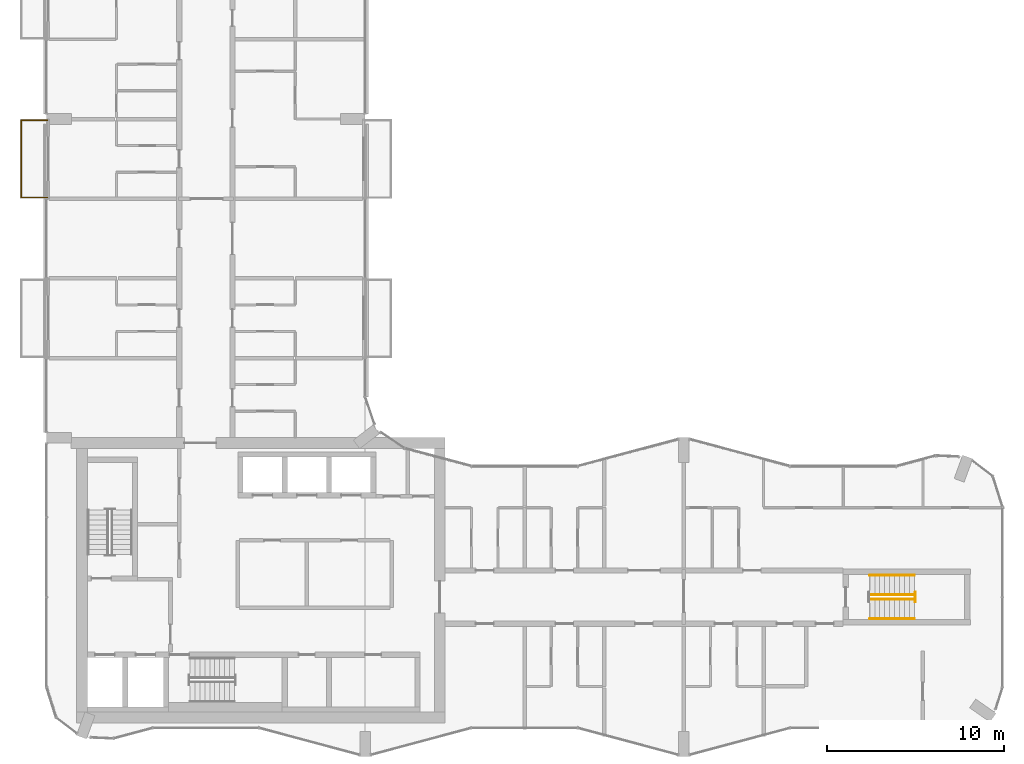
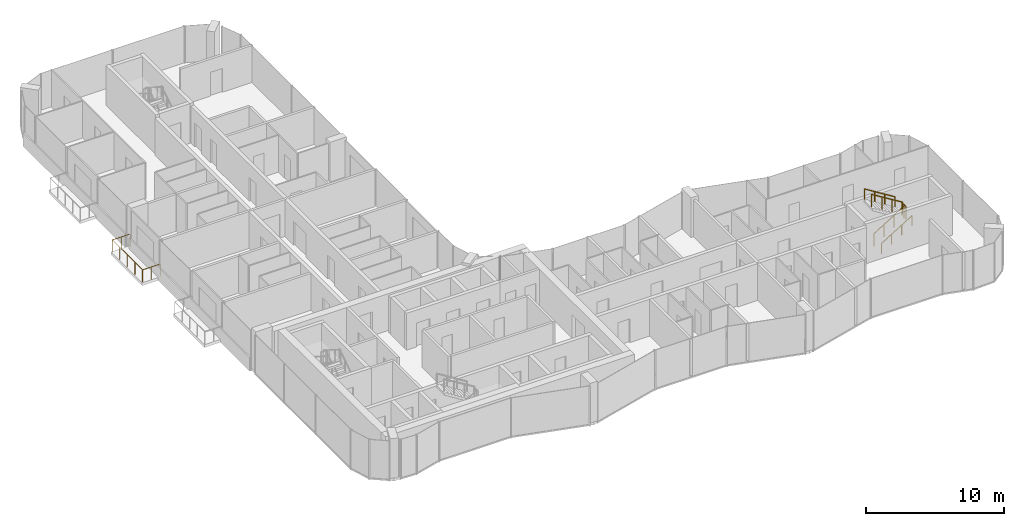
# One storey, part 15 of 16: 6 railings.
"""IFC4 building model written with IfcOpenShell, lengths in metres."""

import ifcopenshell
import ifcopenshell.guid

model = None  # the IFC model being written
_history = None  # IfcOwnerHistory: only IFC2X3 demands one
_inside = {}  # id of a spatial element -> (the spatial element, [elements in it])
_under = {}  # id of a project, library or spatial element -> (it, [spatial elements below it])
_declared = {}  # id of a project -> (the project, [libraries it declares])
_typed = {}  # id of a type object -> (the type object, [elements of that type])
_made_of = {}  # id of a material, layer set ... -> (it, [elements and type objects made of it])


def new_model(schema):
    """Start an empty IFC model of exactly this schema.

    Asked for "IFC4X3", IfcOpenShell would pick the latest addendum, in which some entities
    have other attributes; the version numbers below select the first issue.
    IFC2X3 requires an IfcOwnerHistory on every rooted entity: one is made here for all.
    """
    global model, _history
    if schema == "IFC4X3":
        model = ifcopenshell.file(schema_version=(4, 3, 0, 0))
    else:
        model = ifcopenshell.file(schema=schema)
    _inside.clear()
    _under.clear()
    _declared.clear()
    _typed.clear()
    _made_of.clear()
    _history = None
    if model.schema == "IFC2X3":
        org = make("IfcOrganization", Name="unknown")
        user = make(
            "IfcPersonAndOrganization",
            ThePerson=make("IfcPerson", FamilyName="unknown"),
            TheOrganization=org,
        )
        app = make(
            "IfcApplication",
            ApplicationDeveloper=org,
            Version="unknown",
            ApplicationFullName="unknown",
            ApplicationIdentifier="unknown",
        )
        _history = make(
            "IfcOwnerHistory",
            OwningUser=user,
            OwningApplication=app,
            ChangeAction="ADDED",
            CreationDate=0,
        )
    return model


def make(cls, **values):
    """One entity of the class cls with the attributes given. An attribute that is None is left unset."""
    return model.create_entity(
        cls, **{name: value for name, value in values.items() if value is not None}
    )


def rooted(cls, **values):
    """An entity with a GlobalId (a new one), such as an element, a storey or a relation."""
    return make(cls, GlobalId=ifcopenshell.guid.new(), OwnerHistory=_history, **values)


def si_unit(unit_type, name, prefix=None):
    """IfcSIUnit, for example si_unit("LENGTHUNIT", "METRE", prefix="MILLI")."""
    return make("IfcSIUnit", UnitType=unit_type, Prefix=prefix, Name=name)


def assignment(units):
    """IfcUnitAssignment: the units of a project."""
    return None if units is None else make("IfcUnitAssignment", Units=units)


def point(xyz):
    """IfcCartesianPoint."""
    return None if xyz is None else make("IfcCartesianPoint", Coordinates=xyz)


def direction(xyz):
    """IfcDirection."""
    return None if xyz is None else make("IfcDirection", DirectionRatios=xyz)


def frame(location, z_axis=None, x_axis=None):
    """IfcAxis2Placement3D, a coordinate frame: its origin and axes. An axis left out is left unset."""
    return make(
        "IfcAxis2Placement3D",
        Location=point(location),
        Axis=direction(z_axis),
        RefDirection=direction(x_axis),
    )


def frame_2d(location, x_axis=None):
    """IfcAxis2Placement2D, a coordinate frame in the plane: its origin and x axis."""
    return make(
        "IfcAxis2Placement2D", Location=point(location), RefDirection=direction(x_axis)
    )


def origin():
    """The frame at (0, 0, 0) with its axes left unset."""
    return frame((0.0, 0.0, 0.0))


def origin_2d():
    """The frame at (0, 0) in the plane with its x axis left unset."""
    return frame_2d((0.0, 0.0))


def place(relative_to, where):
    """IfcLocalPlacement: puts the frame where relative to a parent placement (None: the world)."""
    return make(
        "IfcLocalPlacement", PlacementRelTo=relative_to, RelativePlacement=where
    )


def context(
    kind, dimensions, precision=None, world=None, true_north=None, identifier=None
):
    """IfcGeometricRepresentationContext, for example the 3D "Model" context."""
    return make(
        "IfcGeometricRepresentationContext",
        ContextIdentifier=identifier,
        ContextType=kind,
        CoordinateSpaceDimension=dimensions,
        Precision=precision,
        WorldCoordinateSystem=world,
        TrueNorth=true_north,
    )


def subcontext(parent, identifier, kind, view, scale=None):
    """IfcGeometricRepresentationSubContext, for example "Body" below "Model"."""
    return make(
        "IfcGeometricRepresentationSubContext",
        ContextIdentifier=identifier,
        ContextType=kind,
        ParentContext=parent,
        TargetScale=scale,
        TargetView=view,
    )


def project(units=None, contexts=None):
    """IfcProject with its units and contexts."""
    return rooted(
        "IfcProject",
        Name="project",
        RepresentationContexts=contexts,
        UnitsInContext=assignment(units),
    )


def spatial(cls, under=None, at=None, **own):
    """A site, building, storey or space (cls), placed at a placement, below another one or the project."""
    s = rooted(cls, ObjectPlacement=at, **own)
    if under is not None:
        _under.setdefault(under.id(), (under, []))[1].append(s)
    return s


def profile(cls, at=None, kind="AREA", **sizes):
    """A parametric profile (cls). Its sizes go by their IFC names, for example OverallWidth=200.0."""
    return make(cls, ProfileType=kind, Position=at, **sizes)


def circle(**sizes):
    """IfcCircleProfileDef."""
    return profile("IfcCircleProfileDef", **sizes)


def extrude(swept, where, along, depth):
    """IfcExtrudedAreaSolid: the profile swept, set in the frame where, extruded along a direction by depth."""
    return make(
        "IfcExtrudedAreaSolid",
        SweptArea=swept,
        Position=where,
        ExtrudedDirection=direction(along),
        Depth=depth,
    )


def shape(context_of_items, identifier, shape_type, items):
    """IfcShapeRepresentation: the items that make up one representation, for example the "Body"."""
    return make(
        "IfcShapeRepresentation",
        ContextOfItems=context_of_items,
        RepresentationIdentifier=identifier,
        RepresentationType=shape_type,
        Items=items,
    )


def material(Name=None, Category=None):
    """IfcMaterial."""
    return make("IfcMaterial", Name=Name, Category=Category)


def made_of(thing, what):
    """Note that an element or type object is made of a material, layer set ...; save() writes the relation."""
    if what is not None:
        _made_of.setdefault(what.id(), (what, []))[1].append(thing)
    return thing


def type_object(cls, material=None, **own):
    """A type object (cls), such as IfcWallType, which elements share."""
    return made_of(rooted(cls, **own), material)


def element(
    cls,
    number,
    at=None,
    inside=None,
    cuts=None,
    type_object=None,
    material=None,
    context=None,
    identifier="Body",
    shape_type=None,
    held_by="IfcProductDefinitionShape",
    body=None,
    shapes=None,
    **own,
):
    """One element of the class cls, such as IfcWall. Its Tag is "e" and its number.

    at: its placement. inside: the storey or other place that contains it. cuts: it is an
    opening in that element (IfcRelVoidsElement). A single representation is given by context,
    identifier, shape_type and body (its items); several are given by shapes. held_by: the class
    of the entity that holds the representations. save() writes the other relations.
    """
    e = rooted(cls, Tag="e%d" % number, ObjectPlacement=at, **own)
    if body is not None:
        shapes = [shape(context, identifier, shape_type, body)]
    if shapes is not None:
        e.Representation = make(held_by, Representations=shapes)
    if inside is not None:
        _inside.setdefault(inside.id(), (inside, []))[1].append(e)
    if cuts is not None:
        rooted(
            "IfcRelVoidsElement", RelatingBuildingElement=cuts, RelatedOpeningElement=e
        )
    if type_object is not None:
        _typed.setdefault(type_object.id(), (type_object, []))[1].append(e)
    return made_of(e, material)


def aggregate(whole, parts):
    """IfcRelAggregates: a whole, such as a stair, and the parts it consists of."""
    return rooted("IfcRelAggregates", RelatingObject=whole, RelatedObjects=parts)


def save(model, path):
    """Write the relations noted so far, then the file.

    IfcRelAggregates (storeys below a building ...), IfcRelContainedInSpatialStructure (elements
    in a storey), IfcRelDefinesByType, IfcRelAssociatesMaterial and IfcRelDeclares: one each for
    every whole, place, type object, material and project.
    """
    for whole, parts in _under.values():
        aggregate(whole, parts)
    for where, things in _inside.values():
        rooted(
            "IfcRelContainedInSpatialStructure",
            RelatedElements=things,
            RelatingStructure=where,
        )
    for kind, things in _typed.values():
        rooted("IfcRelDefinesByType", RelatedObjects=things, RelatingType=kind)
    for what, things in _made_of.values():
        rooted("IfcRelAssociatesMaterial", RelatedObjects=things, RelatingMaterial=what)
    for by, libraries in _declared.values():
        rooted("IfcRelDeclares", RelatingContext=by, RelatedDefinitions=libraries)
    model.write(path)


model = new_model("IFC4")

# Units and contexts
model_context = context("Model", 3, precision=1e-05, world=origin(), true_north=direction((0.0, 1.0)))
body_context = subcontext(model_context, "Body", "Model", "MODEL_VIEW")
ifc_project = project(units=[si_unit("LENGTHUNIT", "METRE"), si_unit("AREAUNIT", "SQUARE_METRE"), si_unit("VOLUMEUNIT", "CUBIC_METRE"), si_unit("PLANEANGLEUNIT", "RADIAN"), si_unit("MASSUNIT", "GRAM", prefix="KILO")], contexts=[model_context])

# Site, building, storey
site_placement = place(None, origin())
site = spatial("IfcSite", under=ifc_project, at=site_placement, CompositionType="ELEMENT")
building_placement = place(site_placement, origin())
building = spatial("IfcBuilding", under=site, at=building_placement, Name="Plateau Cross Towers", CompositionType="ELEMENT")
storey_placement = place(building_placement, frame((0.0, 0.0, 163.89990234375)))
storey = spatial("IfcBuildingStorey", under=building, at=storey_placement, Name="L42", CompositionType="ELEMENT", Elevation=163.89990234375)

# Railings
ifc_material_1 = material(Name="Stainless steel and toughened glass", Category="steel")
railing_type_1 = type_object("IfcRailingType", Name="Glass balustrade guard 1100", PredefinedType="GUARDRAIL", material=ifc_material_1)
railing_1_placement = place(storey_placement, frame((0.050048828125, 31.570068359375, 0.0)))
element("IfcRailing", 1, at=railing_1_placement, inside=storey, type_object=railing_type_1, Name="Guard guard1", PredefinedType="GUARDRAIL", context=body_context, shape_type="SweptSolid", body=[
    extrude(circle(Radius=0.02392578125, at=origin_2d()), frame((0.0, 0.0, 1.076171875), z_axis=(-1.0, 0.0, 0.0), x_axis=(0.0, -1.0, 0.0)), (0.0, 0.0, 1.0), 1.47998046875),
    extrude(circle(Radius=0.02392578125, at=origin_2d()), frame((-1.47998046875, 0.0, 1.076171875), z_axis=(0.0, 1.0, 0.0), x_axis=(-1.0, 0.0, 0.0)), (0.0, 0.0, 1.0), 4.35986328125),
    extrude(circle(Radius=0.02392578125, at=origin_2d()), frame((-1.47998046875, 4.35986328125, 1.076171875), z_axis=(1.0, 0.0, 0.0), x_axis=(0.0, 1.0, 0.0)), (0.0, 0.0, 1.0), 1.47998046875),
    extrude(circle(Radius=0.02099609375, at=origin_2d()), origin(), (0.0, 0.0, 1.0), 1.052001953125),
    extrude(circle(Radius=0.02099609375, at=origin_2d()), frame((-0.739990234375, 0.0, 0.0)), (0.0, 0.0, 1.0), 1.052001953125),
    extrude(circle(Radius=0.02099609375, at=origin_2d()), frame((-1.47998046875, 0.0, 0.0)), (0.0, 0.0, 1.0), 1.052001953125),
    extrude(circle(Radius=0.02099609375, at=origin_2d()), frame((-1.47998046875, 1.08984375, 0.0)), (0.0, 0.0, 1.0), 1.052001953125),
    extrude(circle(Radius=0.02099609375, at=origin_2d()), frame((-1.47998046875, 2.179931640625, 0.0)), (0.0, 0.0, 1.0), 1.052001953125),
    extrude(circle(Radius=0.02099609375, at=origin_2d()), frame((-1.47998046875, 3.27001953125, 0.0)), (0.0, 0.0, 1.0), 1.052001953125),
    extrude(circle(Radius=0.02099609375, at=origin_2d()), frame((-1.47998046875, 4.35986328125, 0.0)), (0.0, 0.0, 1.0), 1.052001953125),
    extrude(circle(Radius=0.02099609375, at=origin_2d()), frame((-0.739990234375, 4.35986328125, 0.0)), (0.0, 0.0, 1.0), 1.052001953125),
    extrude(circle(Radius=0.02099609375, at=origin_2d()), frame((0.0, 4.35986328125, 0.0)), (0.0, 0.0, 1.0), 1.052001953125),
])
railing_type_2 = type_object("IfcRailingType", Name="RL-GUARD-1100", PredefinedType="GUARDRAIL", material=ifc_material_1)
railing_2_placement = place(storey_placement, frame((46.5, 8.875, 0.175048828125)))
element("IfcRailing", 2, at=railing_2_placement, inside=storey, type_object=railing_type_2, Name="L42 ES-E stair guard 1", PredefinedType="GUARDRAIL", context=body_context, shape_type="SweptSolid", body=[
    extrude(circle(Radius=0.02392578125, at=origin_2d()), frame((0.0, 0.0, 1.076171875), z_axis=(0.848007534815, 0.0, 0.529984170421), x_axis=(0.0, 1.0, 0.0)), (0.0, 0.0, 1.0), 2.9716796875),
    extrude(circle(Radius=0.02099609375, at=origin_2d()), origin(), (0.0, 0.0, 1.0), 1.052001953125),
    extrude(circle(Radius=0.02099609375, at=origin_2d()), frame((0.840087890625, 0.0, 0.52490234375)), (0.0, 0.0, 1.0), 1.052001953125),
    extrude(circle(Radius=0.02099609375, at=origin_2d()), frame((1.679931640625, 0.0, 1.050048828125)), (0.0, 0.0, 1.0), 1.052001953125),
    extrude(circle(Radius=0.02099609375, at=origin_2d()), frame((2.52001953125, 0.0, 1.574951171875)), (0.0, 0.0, 1.0), 1.052001953125),
])
railing_3_placement = place(storey_placement, frame((49.070068359375, 8.72509765625, 1.75)))
element("IfcRailing", 3, at=railing_3_placement, inside=storey, type_object=railing_type_2, Name="L42 ES-E stair guard 2", PredefinedType="GUARDRAIL", context=body_context, shape_type="SweptSolid", body=[
    extrude(circle(Radius=0.02392578125, at=origin_2d()), frame((0.0, 0.0, 1.076171875), z_axis=(0.0, 1.0, 0.0), x_axis=(-1.0, 0.0, 0.0)), (0.0, 0.0, 1.0), 0.5498046875),
    extrude(circle(Radius=0.02099609375, at=origin_2d()), origin(), (0.0, 0.0, 1.0), 1.052001953125),
    extrude(circle(Radius=0.02099609375, at=origin_2d()), frame((0.0, 0.5498046875, 0.0)), (0.0, 0.0, 1.0), 1.052001953125),
])
railing_4_placement = place(storey_placement, frame((49.02001953125, 9.125, 1.925048828125)))
element("IfcRailing", 4, at=railing_4_placement, inside=storey, type_object=railing_type_2, Name="L42 ES-E stair guard 3", PredefinedType="GUARDRAIL", context=body_context, shape_type="SweptSolid", body=[
    extrude(circle(Radius=0.02392578125, at=origin_2d()), frame((0.0, 0.0, 1.076171875), z_axis=(-0.852638500773, 0.0, 0.522501279423), x_axis=(0.0, -1.0, 0.0)), (0.0, 0.0, 1.0), 3.01416015625),
    extrude(circle(Radius=0.02099609375, at=origin_2d()), origin(), (0.0, 0.0, 1.0), 1.052001953125),
    extrude(circle(Radius=0.02099609375, at=origin_2d()), frame((-0.856689453125, 0.0, 0.52490234375)), (0.0, 0.0, 1.0), 1.052001953125),
    extrude(circle(Radius=0.02099609375, at=origin_2d()), frame((-1.71337890625, 0.0, 1.050048828125)), (0.0, 0.0, 1.0), 1.052001953125),
    extrude(circle(Radius=0.02099609375, at=origin_2d()), frame((-2.570068359375, 0.0, 1.574951171875)), (0.0, 0.0, 1.0), 1.052001953125),
])
ifc_material_2 = material(Name="Black anodised aluminium", Category="aluminium")
railing_type_3 = type_object("IfcRailingType", Name="RL-HANDRAIL-900", PredefinedType="HANDRAIL", material=ifc_material_2)
railing_5_placement = place(storey_placement, frame((46.5, 7.77490234375, 0.175048828125)))
element("IfcRailing", 5, at=railing_5_placement, inside=storey, type_object=railing_type_3, Name="L42 ES-E stair handrail 1", PredefinedType="HANDRAIL", context=body_context, shape_type="SweptSolid", body=[
    extrude(circle(Radius=0.02392578125, at=origin_2d()), frame((0.0, 0.0, 0.8759765625), z_axis=(0.848007534815, 0.0, 0.529984170421), x_axis=(0.0, 1.0, 0.0)), (0.0, 0.0, 1.0), 2.9716796875),
    extrude(circle(Radius=0.02099609375, at=origin_2d()), origin(), (0.0, 0.0, 1.0), 0.851806640625),
    extrude(circle(Radius=0.02099609375, at=origin_2d()), frame((0.840087890625, 0.0, 0.52490234375)), (0.0, 0.0, 1.0), 0.851806640625),
    extrude(circle(Radius=0.02099609375, at=origin_2d()), frame((1.679931640625, 0.0, 1.050048828125)), (0.0, 0.0, 1.0), 0.851806640625),
    extrude(circle(Radius=0.02099609375, at=origin_2d()), frame((2.52001953125, 0.0, 1.574951171875)), (0.0, 0.0, 1.0), 0.851806640625),
])
railing_6_placement = place(storey_placement, frame((49.02001953125, 10.22509765625, 1.925048828125)))
element("IfcRailing", 6, at=railing_6_placement, inside=storey, type_object=railing_type_3, Name="L42 ES-E stair handrail 2", PredefinedType="HANDRAIL", context=body_context, shape_type="SweptSolid", body=[
    extrude(circle(Radius=0.02392578125, at=origin_2d()), frame((0.0, 0.0, 0.8759765625), z_axis=(-0.848007534815, 0.0, 0.529984170421), x_axis=(0.0, -1.0, 0.0)), (0.0, 0.0, 1.0), 2.9716796875),
    extrude(circle(Radius=0.02099609375, at=origin_2d()), origin(), (0.0, 0.0, 1.0), 0.851806640625),
    extrude(circle(Radius=0.02099609375, at=origin_2d()), frame((-0.840087890625, 0.0, 0.52490234375)), (0.0, 0.0, 1.0), 0.851806640625),
    extrude(circle(Radius=0.02099609375, at=origin_2d()), frame((-1.679931640625, 0.0, 1.050048828125)), (0.0, 0.0, 1.0), 0.851806640625),
    extrude(circle(Radius=0.02099609375, at=origin_2d()), frame((-2.52001953125, 0.0, 1.574951171875)), (0.0, 0.0, 1.0), 0.851806640625),
])

save(model, "model.ifc")
